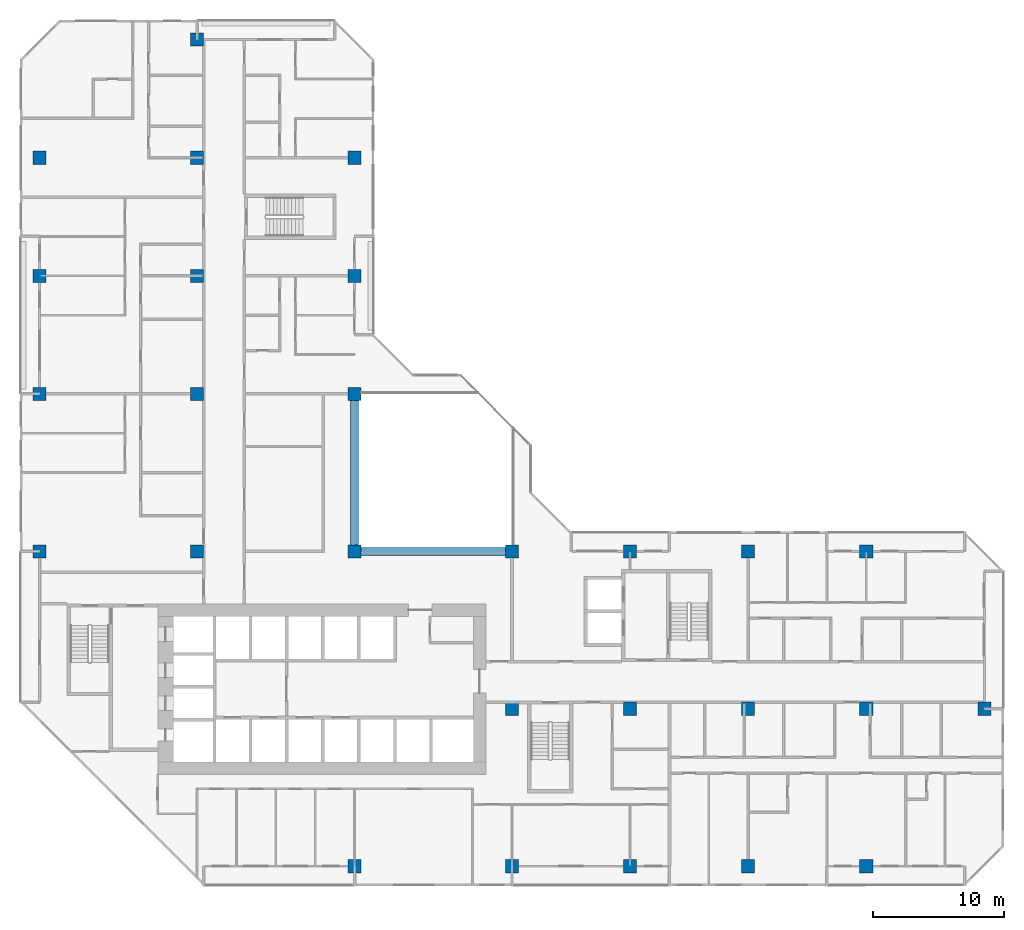
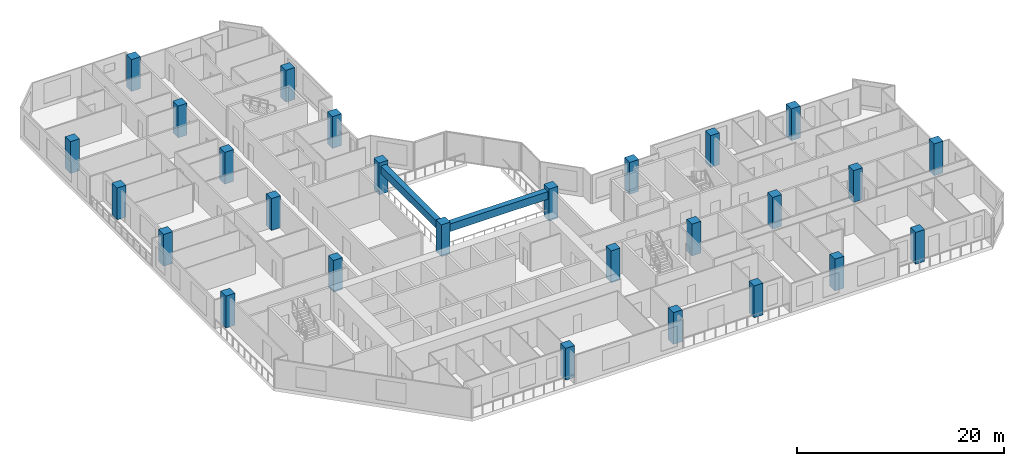
# One storey, part 1 of 15: 27 columns, 2 beams.
"""IFC4 building model written with IfcOpenShell, lengths in metres."""

import ifcopenshell
import ifcopenshell.guid

model = None  # the IFC model being written
_history = None  # IfcOwnerHistory: only IFC2X3 demands one
_inside = {}  # id of a spatial element -> (the spatial element, [elements in it])
_under = {}  # id of a project, library or spatial element -> (it, [spatial elements below it])
_declared = {}  # id of a project -> (the project, [libraries it declares])
_typed = {}  # id of a type object -> (the type object, [elements of that type])
_made_of = {}  # id of a material, layer set ... -> (it, [elements and type objects made of it])


def new_model(schema):
    """Start an empty IFC model of exactly this schema.

    Asked for "IFC4X3", IfcOpenShell would pick the latest addendum, in which some entities
    have other attributes; the version numbers below select the first issue.
    IFC2X3 requires an IfcOwnerHistory on every rooted entity: one is made here for all.
    """
    global model, _history
    if schema == "IFC4X3":
        model = ifcopenshell.file(schema_version=(4, 3, 0, 0))
    else:
        model = ifcopenshell.file(schema=schema)
    _inside.clear()
    _under.clear()
    _declared.clear()
    _typed.clear()
    _made_of.clear()
    _history = None
    if model.schema == "IFC2X3":
        org = make("IfcOrganization", Name="unknown")
        user = make(
            "IfcPersonAndOrganization",
            ThePerson=make("IfcPerson", FamilyName="unknown"),
            TheOrganization=org,
        )
        app = make(
            "IfcApplication",
            ApplicationDeveloper=org,
            Version="unknown",
            ApplicationFullName="unknown",
            ApplicationIdentifier="unknown",
        )
        _history = make(
            "IfcOwnerHistory",
            OwningUser=user,
            OwningApplication=app,
            ChangeAction="ADDED",
            CreationDate=0,
        )
    return model


def make(cls, **values):
    """One entity of the class cls with the attributes given. An attribute that is None is left unset."""
    return model.create_entity(
        cls, **{name: value for name, value in values.items() if value is not None}
    )


def rooted(cls, **values):
    """An entity with a GlobalId (a new one), such as an element, a storey or a relation."""
    return make(cls, GlobalId=ifcopenshell.guid.new(), OwnerHistory=_history, **values)


def si_unit(unit_type, name, prefix=None):
    """IfcSIUnit, for example si_unit("LENGTHUNIT", "METRE", prefix="MILLI")."""
    return make("IfcSIUnit", UnitType=unit_type, Prefix=prefix, Name=name)


def assignment(units):
    """IfcUnitAssignment: the units of a project."""
    return None if units is None else make("IfcUnitAssignment", Units=units)


def point(xyz):
    """IfcCartesianPoint."""
    return None if xyz is None else make("IfcCartesianPoint", Coordinates=xyz)


def direction(xyz):
    """IfcDirection."""
    return None if xyz is None else make("IfcDirection", DirectionRatios=xyz)


def frame(location, z_axis=None, x_axis=None):
    """IfcAxis2Placement3D, a coordinate frame: its origin and axes. An axis left out is left unset."""
    return make(
        "IfcAxis2Placement3D",
        Location=point(location),
        Axis=direction(z_axis),
        RefDirection=direction(x_axis),
    )


def frame_2d(location, x_axis=None):
    """IfcAxis2Placement2D, a coordinate frame in the plane: its origin and x axis."""
    return make(
        "IfcAxis2Placement2D", Location=point(location), RefDirection=direction(x_axis)
    )


def origin():
    """The frame at (0, 0, 0) with its axes left unset."""
    return frame((0.0, 0.0, 0.0))


def origin_2d():
    """The frame at (0, 0) in the plane with its x axis left unset."""
    return frame_2d((0.0, 0.0))


def place(relative_to, where):
    """IfcLocalPlacement: puts the frame where relative to a parent placement (None: the world)."""
    return make(
        "IfcLocalPlacement", PlacementRelTo=relative_to, RelativePlacement=where
    )


def context(
    kind, dimensions, precision=None, world=None, true_north=None, identifier=None
):
    """IfcGeometricRepresentationContext, for example the 3D "Model" context."""
    return make(
        "IfcGeometricRepresentationContext",
        ContextIdentifier=identifier,
        ContextType=kind,
        CoordinateSpaceDimension=dimensions,
        Precision=precision,
        WorldCoordinateSystem=world,
        TrueNorth=true_north,
    )


def subcontext(parent, identifier, kind, view, scale=None):
    """IfcGeometricRepresentationSubContext, for example "Body" below "Model"."""
    return make(
        "IfcGeometricRepresentationSubContext",
        ContextIdentifier=identifier,
        ContextType=kind,
        ParentContext=parent,
        TargetScale=scale,
        TargetView=view,
    )


def project(units=None, contexts=None):
    """IfcProject with its units and contexts."""
    return rooted(
        "IfcProject",
        Name="project",
        RepresentationContexts=contexts,
        UnitsInContext=assignment(units),
    )


def spatial(cls, under=None, at=None, **own):
    """A site, building, storey or space (cls), placed at a placement, below another one or the project."""
    s = rooted(cls, ObjectPlacement=at, **own)
    if under is not None:
        _under.setdefault(under.id(), (under, []))[1].append(s)
    return s


def profile(cls, at=None, kind="AREA", **sizes):
    """A parametric profile (cls). Its sizes go by their IFC names, for example OverallWidth=200.0."""
    return make(cls, ProfileType=kind, Position=at, **sizes)


def rectangle(**sizes):
    """IfcRectangleProfileDef."""
    return profile("IfcRectangleProfileDef", **sizes)


def extrude(swept, where, along, depth):
    """IfcExtrudedAreaSolid: the profile swept, set in the frame where, extruded along a direction by depth."""
    return make(
        "IfcExtrudedAreaSolid",
        SweptArea=swept,
        Position=where,
        ExtrudedDirection=direction(along),
        Depth=depth,
    )


def shape(context_of_items, identifier, shape_type, items):
    """IfcShapeRepresentation: the items that make up one representation, for example the "Body"."""
    return make(
        "IfcShapeRepresentation",
        ContextOfItems=context_of_items,
        RepresentationIdentifier=identifier,
        RepresentationType=shape_type,
        Items=items,
    )


def material(Name=None, Category=None):
    """IfcMaterial."""
    return make("IfcMaterial", Name=Name, Category=Category)


def material_profile(
    of_material, cross_section, Name=None, Category=None, Priority=None
):
    """IfcMaterialProfile: a cross section and its material."""
    return make(
        "IfcMaterialProfile",
        Name=Name,
        Material=of_material,
        Profile=cross_section,
        Priority=Priority,
        Category=Category,
    )


def profile_set(profiles, Name=None, composite=None):
    """IfcMaterialProfileSet."""
    return make(
        "IfcMaterialProfileSet",
        Name=Name,
        MaterialProfiles=profiles,
        CompositeProfile=composite,
    )


def made_of(thing, what):
    """Note that an element or type object is made of a material, layer set ...; save() writes the relation."""
    if what is not None:
        _made_of.setdefault(what.id(), (what, []))[1].append(thing)
    return thing


def type_object(cls, material=None, **own):
    """A type object (cls), such as IfcWallType, which elements share."""
    return made_of(rooted(cls, **own), material)


def element(
    cls,
    number,
    at=None,
    inside=None,
    cuts=None,
    type_object=None,
    material=None,
    context=None,
    identifier="Body",
    shape_type=None,
    held_by="IfcProductDefinitionShape",
    body=None,
    shapes=None,
    **own,
):
    """One element of the class cls, such as IfcWall. Its Tag is "e" and its number.

    at: its placement. inside: the storey or other place that contains it. cuts: it is an
    opening in that element (IfcRelVoidsElement). A single representation is given by context,
    identifier, shape_type and body (its items); several are given by shapes. held_by: the class
    of the entity that holds the representations. save() writes the other relations.
    """
    e = rooted(cls, Tag="e%d" % number, ObjectPlacement=at, **own)
    if body is not None:
        shapes = [shape(context, identifier, shape_type, body)]
    if shapes is not None:
        e.Representation = make(held_by, Representations=shapes)
    if inside is not None:
        _inside.setdefault(inside.id(), (inside, []))[1].append(e)
    if cuts is not None:
        rooted(
            "IfcRelVoidsElement", RelatingBuildingElement=cuts, RelatedOpeningElement=e
        )
    if type_object is not None:
        _typed.setdefault(type_object.id(), (type_object, []))[1].append(e)
    return made_of(e, material)


def aggregate(whole, parts):
    """IfcRelAggregates: a whole, such as a stair, and the parts it consists of."""
    return rooted("IfcRelAggregates", RelatingObject=whole, RelatedObjects=parts)


def save(model, path):
    """Write the relations noted so far, then the file.

    IfcRelAggregates (storeys below a building ...), IfcRelContainedInSpatialStructure (elements
    in a storey), IfcRelDefinesByType, IfcRelAssociatesMaterial and IfcRelDeclares: one each for
    every whole, place, type object, material and project.
    """
    for whole, parts in _under.values():
        aggregate(whole, parts)
    for where, things in _inside.values():
        rooted(
            "IfcRelContainedInSpatialStructure",
            RelatedElements=things,
            RelatingStructure=where,
        )
    for kind, things in _typed.values():
        rooted("IfcRelDefinesByType", RelatedObjects=things, RelatingType=kind)
    for what, things in _made_of.values():
        rooted("IfcRelAssociatesMaterial", RelatedObjects=things, RelatingMaterial=what)
    for by, libraries in _declared.values():
        rooted("IfcRelDeclares", RelatingContext=by, RelatedDefinitions=libraries)
    model.write(path)


model = new_model("IFC4")

# Units and contexts
model_context = context("Model", 3, precision=1e-05, world=origin(), true_north=direction((0.0, 1.0)))
body_context = subcontext(model_context, "Body", "Model", "MODEL_VIEW")
ifc_project = project(units=[si_unit("LENGTHUNIT", "METRE"), si_unit("AREAUNIT", "SQUARE_METRE"), si_unit("VOLUMEUNIT", "CUBIC_METRE"), si_unit("PLANEANGLEUNIT", "RADIAN"), si_unit("MASSUNIT", "GRAM", prefix="KILO")], contexts=[model_context])

# Site, building, storey
site_placement = place(None, origin())
site = spatial("IfcSite", under=ifc_project, at=site_placement, CompositionType="ELEMENT")
building_placement = place(site_placement, origin())
building = spatial("IfcBuilding", under=site, at=building_placement, Name="Chenar Terraces", CompositionType="ELEMENT")
storey_placement = place(building_placement, frame((0.0, 0.0, 118.14990234375)))
storey = spatial("IfcBuildingStorey", under=building, at=storey_placement, Name="L27", CompositionType="ELEMENT", Elevation=118.14990234375)

# Columns
ifc_material_1 = material(Name="Concrete C70/85", Category="concrete")
ifc_material_profile_1 = material_profile(ifc_material_1, rectangle(XDim=1.0, YDim=1.0, at=origin_2d()), Name="C 1000 x 1000")
ifc_profile_set_1 = profile_set([ifc_material_profile_1], Name="Concrete C70/85")
column_type = type_object("IfcColumnType", Name="Column C 1000 x 1000 Concrete C70/85", PredefinedType="COLUMN", material=ifc_profile_set_1)
column_1_placement = place(storey_placement, frame((0.0, 24.0, 0.0), z_axis=(0.0, 0.0, 1.0), x_axis=(1.0, 0.0, 0.0)))
element("IfcColumn", 1, at=column_1_placement, inside=storey, type_object=column_type, Name="Column 5/G L27", PredefinedType="COLUMN", context=body_context, shape_type="SweptSolid", body=[
    extrude(rectangle(XDim=1.0, YDim=1.0, at=origin_2d()), origin(), (0.0, 0.0, 1.0), 3.75),
])
column_2_placement = place(storey_placement, frame((0.0, 36.0, 0.0), z_axis=(0.0, 0.0, 1.0), x_axis=(1.0, 0.0, 0.0)))
element("IfcColumn", 2, at=column_2_placement, inside=storey, type_object=column_type, Name="Column 5/H L27", PredefinedType="COLUMN", context=body_context, shape_type="SweptSolid", body=[
    extrude(rectangle(XDim=1.0, YDim=1.0, at=origin_2d()), origin(), (0.0, 0.0, 1.0), 3.75),
])
for number, where, z_axis, x_axis, name in (
    (3, (0.0, 45.0, 0.0), (0.0, 0.0, 1.0), (1.0, 0.0, 0.0), "Column 5/J L27"),
    (4, (0.0, 54.0, 0.0), (0.0, 0.0, 1.0), (1.0, 0.0, 0.0), "Column 5/K L27"),
    (5, (12.0, 24.0, 0.0), (0.0, 0.0, 1.0), (1.0, 0.0, 0.0), "Column 6/G L27"),
    (6, (12.0, 36.0, 0.0), (0.0, 0.0, 1.0), (1.0, 0.0, 0.0), "Column 6/H L27"),
    (7, (12.0, 45.0, 0.0), (0.0, 0.0, 1.0), (1.0, 0.0, 0.0), "Column 6/J L27"),
    (8, (12.0, 54.0, 0.0), (0.0, 0.0, 1.0), (1.0, 0.0, 0.0), "Column 6/K L27"),
    (9, (12.0, 63.0, 0.0), (0.0, 0.0, 1.0), (1.0, 0.0, 0.0), "Column 6/L L27"),
    (10, (24.0, 0.0, 0.0), (0.0, 0.0, 1.0), (1.0, 0.0, 0.0), "Column 7/E L27"),
    (11, (24.0, 24.0, 0.0), (0.0, 0.0, 1.0), (1.0, 0.0, 0.0), "Column 7/G L27"),
    (12, (24.0, 36.0, 0.0), (0.0, 0.0, 1.0), (1.0, 0.0, 0.0), "Column 7/H L27"),
    (13, (24.0, 45.0, 0.0), (0.0, 0.0, 1.0), (1.0, 0.0, 0.0), "Column 7/J L27"),
    (14, (24.0, 54.0, 0.0), (0.0, 0.0, 1.0), (1.0, 0.0, 0.0), "Column 7/K L27"),
    (15, (36.0, 0.0, 0.0), (0.0, 0.0, 1.0), (1.0, 0.0, 0.0), "Column 8/E L27"),
    (16, (36.0, 12.0, 0.0), (0.0, 0.0, 1.0), (1.0, 0.0, 0.0), "Column 8/F L27"),
    (17, (36.0, 24.0, 0.0), (0.0, 0.0, 1.0), (1.0, 0.0, 0.0), "Column 8/G L27"),
    (18, (45.0, 0.0, 0.0), (0.0, 0.0, 1.0), (1.0, 0.0, 0.0), "Column 9/E L27"),
    (19, (45.0, 12.0, 0.0), (0.0, 0.0, 1.0), (1.0, 0.0, 0.0), "Column 9/F L27"),
    (20, (45.0, 24.0, 0.0), (0.0, 0.0, 1.0), (1.0, 0.0, 0.0), "Column 9/G L27"),
    (21, (54.0, 0.0, 0.0), (0.0, 0.0, 1.0), (1.0, 0.0, 0.0), "Column 10/E L27"),
    (22, (54.0, 12.0, 0.0), (0.0, 0.0, 1.0), (1.0, 0.0, 0.0), "Column 10/F L27"),
    (23, (54.0, 24.0, 0.0), (0.0, 0.0, 1.0), (1.0, 0.0, 0.0), "Column 10/G L27"),
    (24, (63.0, 0.0, 0.0), (0.0, 0.0, 1.0), (1.0, 0.0, 0.0), "Column 11/E L27"),
    (25, (63.0, 12.0, 0.0), (0.0, 0.0, 1.0), (1.0, 0.0, 0.0), "Column 11/F L27"),
    (26, (63.0, 24.0, 0.0), (0.0, 0.0, 1.0), (1.0, 0.0, 0.0), "Column 11/G L27"),
    (27, (72.0, 12.0, 0.0), (0.0, 0.0, 1.0), (1.0, 0.0, 0.0), "Column 12/F L27"),
):
    element("IfcColumn", number, at=place(storey_placement, frame(where, z_axis=z_axis, x_axis=x_axis)), inside=storey, type_object=column_type, Name=name, PredefinedType="COLUMN", context=body_context, shape_type="SweptSolid", body=[
        extrude(rectangle(XDim=1.0, YDim=1.0, at=origin_2d()), origin(), (0.0, 0.0, 1.0), 3.75),
    ])

# Beams
ifc_material_2 = material(Name="Concrete C40/50", Category="concrete")
ifc_material_profile_2 = material_profile(ifc_material_2, rectangle(XDim=0.60009765625, YDim=0.89990234375, at=origin_2d()), Name="RC 600 x 900")
ifc_profile_set_2 = profile_set([ifc_material_profile_2], Name="Concrete C40/50")
beam_type = type_object("IfcBeamType", Name="Atrium edge beam 600 x 900 Concrete C40/50", PredefinedType="BEAM", material=ifc_profile_set_2)
for number, where, z_axis, x_axis, name in (
    (28, (24.5, 24.0, 2.900146484375), (1.0, 0.0, 0.0), (0.0, 1.0, 0.0), "Atrium edge beam L28 1"),
    (29, (24.0, 35.5, 2.900146484375), (0.0, -1.0, 0.0), (1.0, 0.0, 0.0), "Atrium edge beam L28 4"),
):
    element("IfcBeam", number, at=place(storey_placement, frame(where, z_axis=z_axis, x_axis=x_axis)), inside=storey, type_object=beam_type, Name=name, PredefinedType="BEAM", context=body_context, shape_type="SweptSolid", body=[
        extrude(rectangle(XDim=0.60009765625, YDim=0.89990234375, at=origin_2d()), origin(), (0.0, 0.0, 1.0), 11.0),
    ])

save(model, "model.ifc")
